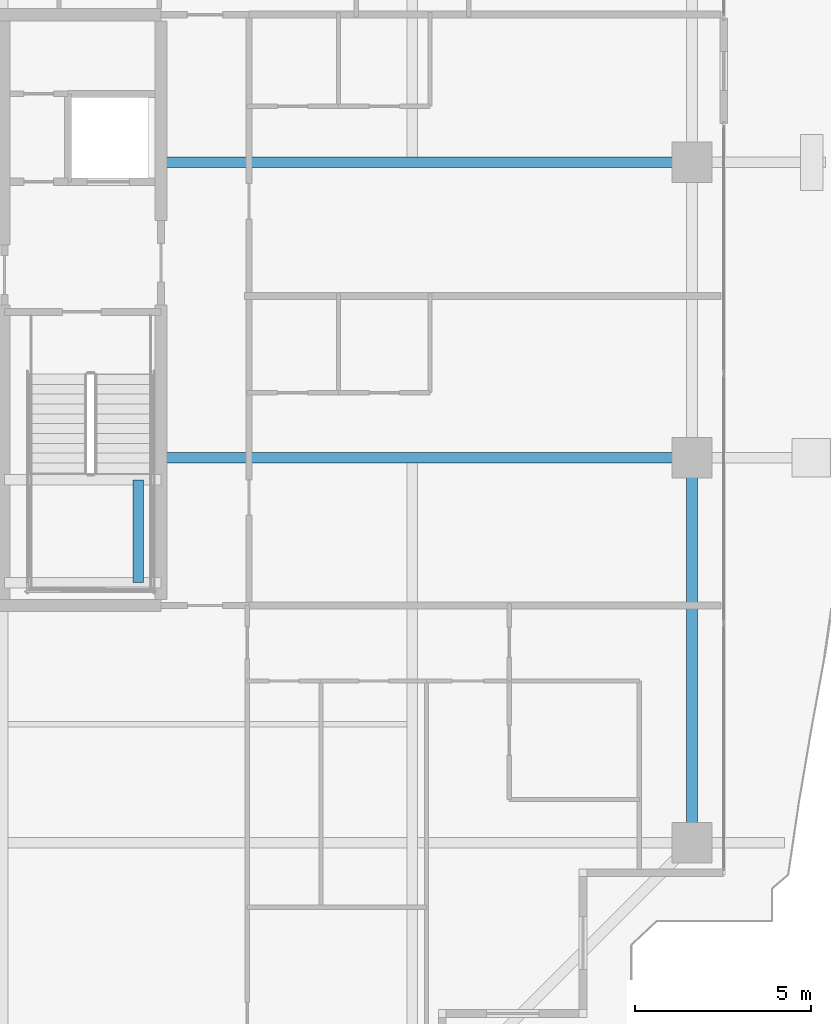
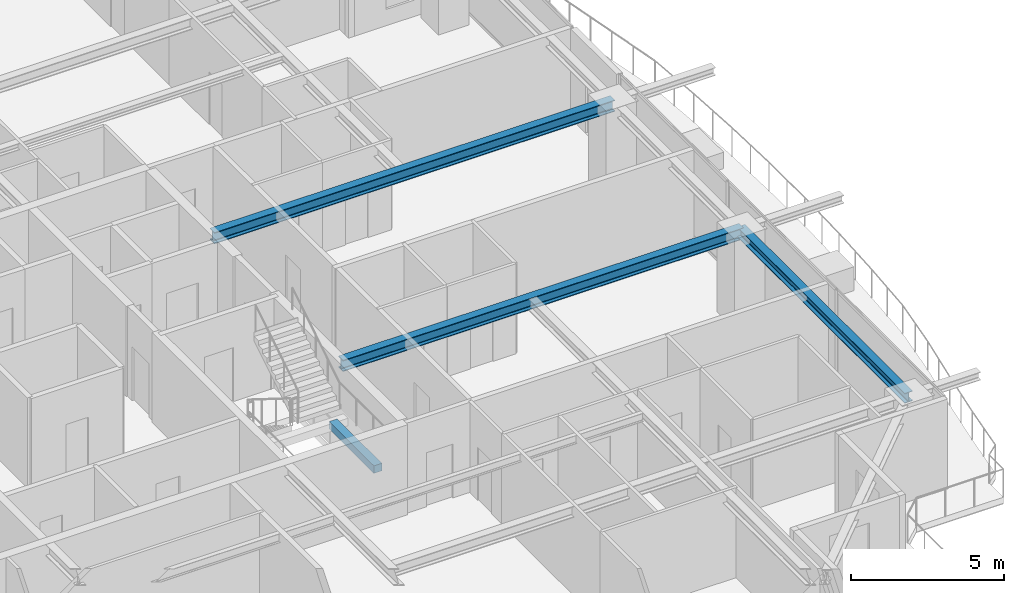
# One storey, part 14 of 37: 4 beams.
"""IFC4 building model written with IfcOpenShell, lengths in metres."""

from ifc_helpers import new_model, si_unit, direction, frame, origin, origin_2d, place, context, subcontext, project, spatial, rectangle, i_section, extrude, source, transform, mapped, material, material_profile, profile_set, type_object, element, save


model = new_model("IFC4")

# Units and contexts
model_context = context("Model", 3, precision=1e-05, world=origin(), true_north=direction((0.0, 1.0)))
body_context = subcontext(model_context, "Body", "Model", "MODEL_VIEW")
ifc_project = project(units=[si_unit("LENGTHUNIT", "METRE"), si_unit("AREAUNIT", "SQUARE_METRE"), si_unit("VOLUMEUNIT", "CUBIC_METRE"), si_unit("PLANEANGLEUNIT", "RADIAN"), si_unit("MASSUNIT", "GRAM", prefix="KILO")], contexts=[model_context])

# Site, building, storey
site_placement = place(None, origin())
site = spatial("IfcSite", under=ifc_project, at=site_placement, CompositionType="ELEMENT")
building_placement = place(site_placement, origin())
building = spatial("IfcBuilding", under=site, at=building_placement, Name="Serunith Strait Residences", CompositionType="ELEMENT")
storey_placement = place(building_placement, frame((0.0, 0.0, 260.5)))
storey = spatial("IfcBuildingStorey", under=building, at=storey_placement, Name="L65", CompositionType="ELEMENT", Elevation=260.5)

# Beams
ifc_material_1 = material(Name="Steel S355J2", Category="steel")
ifc_material_profile_1 = material_profile(ifc_material_1, i_section(OverallWidth=0.300048828125, OverallDepth=0.449951171875, WebThickness=0.013916015625, FlangeThickness=0.02587890625, FilletRadius=0.027099609375, at=origin_2d()), Name="HEB 450")
ifc_profile_set_1 = profile_set([ifc_material_profile_1], Name="Steel S355J2")
beam_type_1 = type_object("IfcBeamType", Name="BM-HEB450", PredefinedType="BEAM", material=ifc_profile_set_1)
shared_shape_1 = source(origin(), body_context, "Body", "SweptSolid", [
    extrude(i_section(OverallWidth=0.300048828125, OverallDepth=0.449951171875, WebThickness=0.013916015625, FlangeThickness=0.02587890625, FilletRadius=0.027099609375, at=origin_2d()), origin(), (0.0, 0.0, 1.0), 15.10009765625),
])
for number, where, z_axis, x_axis, name in (
    (1, (41.39990234375, 21.0, 3.362060546875), (1.0, 0.0, 0.0), (0.0, 1.0, 0.0), "L65 Primary Floor Girder TC-E2"),
    (2, (41.39990234375, 29.39990234375, 3.362060546875), (1.0, 0.0, 0.0), (0.0, 1.0, 0.0), "L65 Primary Floor Girder TC-E3"),
):
    element("IfcBeam", number, at=place(storey_placement, frame(where, z_axis=z_axis, x_axis=x_axis)), inside=storey, type_object=beam_type_1, Name=name, PredefinedType="BEAM", context=body_context, shape_type="MappedRepresentation", body=[
        mapped(shared_shape_1, transform((0.0, 0.0, 0.0), scale=1.0)),
    ])
ifc_material_profile_2 = material_profile(ifc_material_1, i_section(OverallWidth=0.300048828125, OverallDepth=0.39990234375, WebThickness=0.013427734375, FlangeThickness=0.02392578125, FilletRadius=0.027099609375, at=origin_2d()), Name="HEB 400")
ifc_profile_set_2 = profile_set([ifc_material_profile_2], Name="Steel S355J2")
beam_type_2 = type_object("IfcBeamType", Name="BM-HEB400", PredefinedType="BEAM", material=ifc_profile_set_2)
shared_shape_2 = source(origin(), body_context, "Body", "SweptSolid", [
    extrude(i_section(OverallWidth=0.300048828125, OverallDepth=0.39990234375, WebThickness=0.013427734375, FlangeThickness=0.02392578125, FilletRadius=0.027099609375, at=origin_2d()), origin(), (0.0, 0.0, 1.0), 10.949951171875),
])
beam_1_placement = place(storey_placement, frame((56.5, 10.050048828125, 3.386962890625), z_axis=(0.0, 1.0, 0.0), x_axis=(-1.0, 0.0, 0.0)))
element("IfcBeam", 3, at=beam_1_placement, inside=storey, type_object=beam_type_2, Name="L65 Perimeter Ring Beam 05", PredefinedType="BEAM", context=body_context, shape_type="MappedRepresentation", body=[
    mapped(shared_shape_2, transform((0.0, 0.0, 0.0), scale=1.0)),
])
ifc_material_2 = material(Name="Concrete C60/75", Category="concrete")
ifc_material_profile_3 = material_profile(ifc_material_2, rectangle(XDim=0.300048828125, YDim=0.300048828125, at=origin_2d()), Name="RC 300x300")
ifc_profile_set_3 = profile_set([ifc_material_profile_3], Name="Concrete C60/75")
beam_type_3 = type_object("IfcBeamType", Name="BM-LAND-300x300", PredefinedType="BEAM", material=ifc_profile_set_3)
shared_shape_3 = source(origin(), body_context, "Body", "SweptSolid", [
    extrude(rectangle(XDim=0.300048828125, YDim=0.300048828125, at=origin_2d()), origin(), (0.0, 0.0, 1.0), 2.920166015625),
])
beam_2_placement = place(storey_placement, frame((40.75, 17.449951171875, 1.574951171875), z_axis=(0.0, 1.0, 0.0), x_axis=(-1.0, 0.0, 0.0)))
element("IfcBeam", 4, at=beam_2_placement, inside=storey, type_object=beam_type_3, Name="L65 ST-2 Landing Transverse Tie Beam", PredefinedType="BEAM", context=body_context, shape_type="MappedRepresentation", body=[
    mapped(shared_shape_3, transform((0.0, 0.0, 0.0), scale=1.0)),
])

save(model, "model.ifc")
